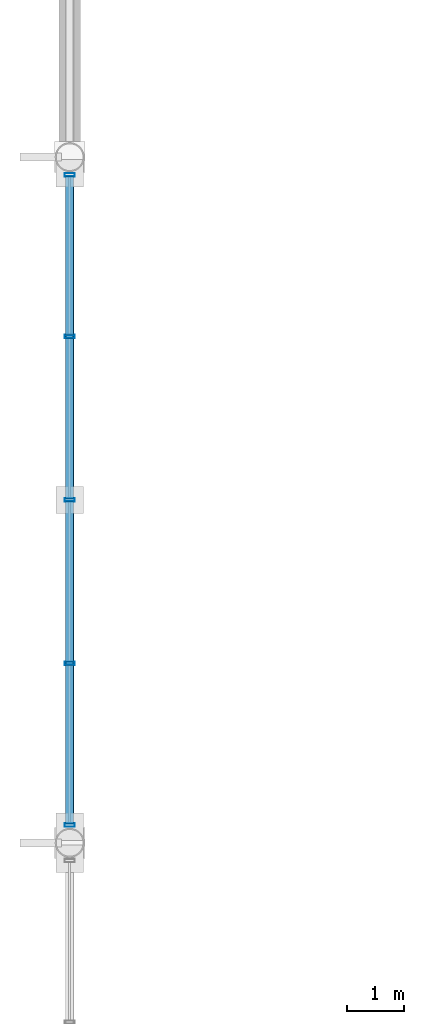
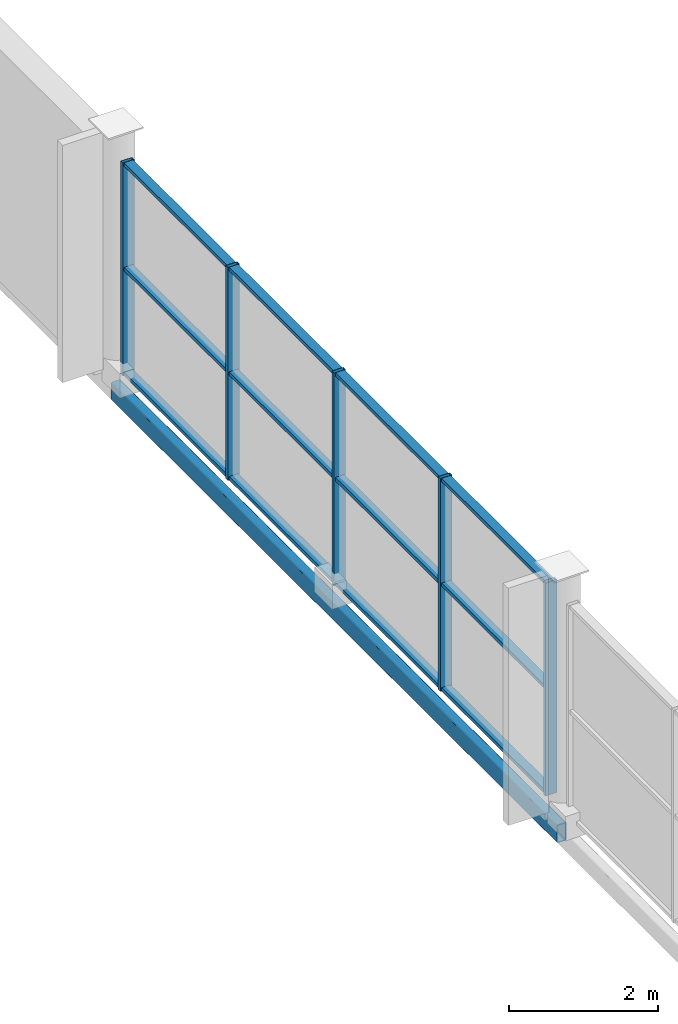
# One storey, part 52 of 117: 17 members, 1 beam, 1 element without a shape of its own.
"""IFC4 building model written with IfcOpenShell, lengths in metres."""

from ifc_helpers import new_model, si_unit, direction, frame, origin, origin_2d, place, context, subcontext, project, spatial, hollow_rectangle, extrude, material, material_profile, profile_set, type_object, element, aggregate, save


model = new_model("IFC4")

# Units and contexts
model_context = context("Model", 3, precision=1e-05, world=origin(), true_north=direction((0.0, 1.0)))
body_context = subcontext(model_context, "Body", "Model", "MODEL_VIEW")
ifc_project = project(units=[si_unit("LENGTHUNIT", "METRE"), si_unit("AREAUNIT", "SQUARE_METRE"), si_unit("VOLUMEUNIT", "CUBIC_METRE"), si_unit("PLANEANGLEUNIT", "RADIAN"), si_unit("MASSUNIT", "GRAM", prefix="KILO")], contexts=[model_context])

# Site, building, storey
site_placement = place(None, origin())
site = spatial("IfcSite", under=ifc_project, at=site_placement, CompositionType="ELEMENT")
building_placement = place(site_placement, origin())
building = spatial("IfcBuilding", under=site, at=building_placement, Name="Merenkruunu Market Hall", CompositionType="ELEMENT")
storey_placement = place(building_placement, frame((0.0, 0.0, 10.199951171875)))
storey = spatial("IfcBuildingStorey", under=building, at=storey_placement, Name="L02", CompositionType="ELEMENT", Elevation=10.199951171875)

# Curtain wall, members
ifc_material_1 = material(Name="Powder-coated aluminium", Category="aluminium")
curtain_wall_type = type_object("IfcCurtainWallType", Name="Glazed Curtain Wall CW13", PredefinedType="USERDEFINED", material=ifc_material_1)
curtain_wall_placement = place(storey_placement, origin())
curtain_wall = element("IfcCurtainWall", 1, at=curtain_wall_placement, inside=storey, type_object=curtain_wall_type, Name="CW-L02-CWM02-015", ObjectType="GLAZED_FACADE", PredefinedType="USERDEFINED")
ifc_material_profile_1 = material_profile(ifc_material_1, hollow_rectangle(XDim=0.06005859375, YDim=0.179931640625, WallThickness=0.00390625, at=origin_2d()), Name="ALU 60x180x4")
ifc_profile_set_1 = profile_set([ifc_material_profile_1], Name="Powder-coated aluminium")
member_type_1 = type_object("IfcMemberType", Name="Curtain Wall Mullion CWM02", PredefinedType="MULLION", material=ifc_profile_set_1)
member_1_placement = place(storey_placement, frame((0.0, 63.909912109375, 0.0), z_axis=(0.0, 0.0, 1.0), x_axis=(0.0, 1.0, 0.0)))
member_1 = element("IfcMember", 2, at=member_1_placement, type_object=member_type_1, Name="CW13 mullion 1", PredefinedType="MULLION", context=body_context, shape_type="SweptSolid", body=[
    extrude(hollow_rectangle(XDim=0.06005859375, YDim=0.179931640625, WallThickness=0.00390625, at=origin_2d()), origin(), (0.0, 0.0, 1.0), 3.5),
])
member_2_placement = place(storey_placement, frame((0.0, 66.739990234375, 0.0), z_axis=(0.0, 0.0, 1.0), x_axis=(0.0, 1.0, 0.0)))
member_2 = element("IfcMember", 3, at=member_2_placement, type_object=member_type_1, Name="CW13 mullion 2", PredefinedType="MULLION", context=body_context, shape_type="SweptSolid", body=[
    extrude(hollow_rectangle(XDim=0.06005859375, YDim=0.179931640625, WallThickness=0.00390625, at=origin_2d()), origin(), (0.0, 0.0, 1.0), 3.5),
])
member_3_placement = place(storey_placement, frame((0.0, 69.60009765625, 0.0), z_axis=(0.0, 0.0, 1.0), x_axis=(0.0, 1.0, 0.0)))
member_3 = element("IfcMember", 4, at=member_3_placement, type_object=member_type_1, Name="CW13 mullion 3", PredefinedType="MULLION", context=body_context, shape_type="SweptSolid", body=[
    extrude(hollow_rectangle(XDim=0.06005859375, YDim=0.179931640625, WallThickness=0.00390625, at=origin_2d()), origin(), (0.0, 0.0, 1.0), 3.5),
])
member_4_placement = place(storey_placement, frame((0.0, 72.4599609375, 0.0), z_axis=(0.0, 0.0, 1.0), x_axis=(0.0, 1.0, 0.0)))
member_4 = element("IfcMember", 5, at=member_4_placement, type_object=member_type_1, Name="CW13 mullion 4", PredefinedType="MULLION", context=body_context, shape_type="SweptSolid", body=[
    extrude(hollow_rectangle(XDim=0.06005859375, YDim=0.179931640625, WallThickness=0.00390625, at=origin_2d()), origin(), (0.0, 0.0, 1.0), 3.5),
])
member_5_placement = place(storey_placement, frame((0.0, 75.2900390625, 0.0), z_axis=(0.0, 0.0, 1.0), x_axis=(0.0, 1.0, 0.0)))
member_5 = element("IfcMember", 6, at=member_5_placement, type_object=member_type_1, Name="CW13 mullion 5", PredefinedType="MULLION", context=body_context, shape_type="SweptSolid", body=[
    extrude(hollow_rectangle(XDim=0.06005859375, YDim=0.179931640625, WallThickness=0.00390625, at=origin_2d()), origin(), (0.0, 0.0, 1.0), 3.5),
])
ifc_material_profile_2 = material_profile(ifc_material_1, hollow_rectangle(XDim=0.06005859375, YDim=0.139892578125, WallThickness=0.00390625, at=origin_2d()), Name="ALU 60x140x4")
ifc_profile_set_2 = profile_set([ifc_material_profile_2], Name="Powder-coated aluminium")
member_type_2 = type_object("IfcMemberType", Name="Curtain Wall Transom CWT02", PredefinedType="USERDEFINED", material=ifc_profile_set_2)
member_6_placement = place(storey_placement, frame((0.0, 63.93994140625, 0.030029296875), z_axis=(0.0, 1.0, 0.0), x_axis=(0.0, 0.0, 1.0)))
member_6 = element("IfcMember", 7, at=member_6_placement, type_object=member_type_2, Name="CW13 transom 1.1", ObjectType="TRANSOM", PredefinedType="USERDEFINED", context=body_context, shape_type="SweptSolid", body=[
    extrude(hollow_rectangle(XDim=0.06005859375, YDim=0.139892578125, WallThickness=0.00390625, at=origin_2d()), origin(), (0.0, 0.0, 1.0), 2.77001953125),
])
member_7_placement = place(storey_placement, frame((0.0, 63.93994140625, 1.75), z_axis=(0.0, 1.0, 0.0), x_axis=(0.0, 0.0, 1.0)))
member_7 = element("IfcMember", 8, at=member_7_placement, type_object=member_type_2, Name="CW13 transom 1.2", ObjectType="TRANSOM", PredefinedType="USERDEFINED", context=body_context, shape_type="SweptSolid", body=[
    extrude(hollow_rectangle(XDim=0.06005859375, YDim=0.139892578125, WallThickness=0.00390625, at=origin_2d()), origin(), (0.0, 0.0, 1.0), 2.77001953125),
])
member_8_placement = place(storey_placement, frame((0.0, 63.93994140625, 3.469970703125), z_axis=(0.0, 1.0, 0.0), x_axis=(0.0, 0.0, 1.0)))
member_8 = element("IfcMember", 9, at=member_8_placement, type_object=member_type_2, Name="CW13 transom 1.3", ObjectType="TRANSOM", PredefinedType="USERDEFINED", context=body_context, shape_type="SweptSolid", body=[
    extrude(hollow_rectangle(XDim=0.06005859375, YDim=0.139892578125, WallThickness=0.00390625, at=origin_2d()), origin(), (0.0, 0.0, 1.0), 2.77001953125),
])
member_9_placement = place(storey_placement, frame((0.0, 66.77001953125, 0.030029296875), z_axis=(0.0, 1.0, 0.0), x_axis=(0.0, 0.0, 1.0)))
member_9 = element("IfcMember", 10, at=member_9_placement, type_object=member_type_2, Name="CW13 transom 2.1", ObjectType="TRANSOM", PredefinedType="USERDEFINED", context=body_context, shape_type="SweptSolid", body=[
    extrude(hollow_rectangle(XDim=0.06005859375, YDim=0.139892578125, WallThickness=0.00390625, at=origin_2d()), origin(), (0.0, 0.0, 1.0), 2.800048828125),
])
member_10_placement = place(storey_placement, frame((0.0, 66.77001953125, 1.75), z_axis=(0.0, 1.0, 0.0), x_axis=(0.0, 0.0, 1.0)))
member_10 = element("IfcMember", 11, at=member_10_placement, type_object=member_type_2, Name="CW13 transom 2.2", ObjectType="TRANSOM", PredefinedType="USERDEFINED", context=body_context, shape_type="SweptSolid", body=[
    extrude(hollow_rectangle(XDim=0.06005859375, YDim=0.139892578125, WallThickness=0.00390625, at=origin_2d()), origin(), (0.0, 0.0, 1.0), 2.800048828125),
])
member_11_placement = place(storey_placement, frame((0.0, 66.77001953125, 3.469970703125), z_axis=(0.0, 1.0, 0.0), x_axis=(0.0, 0.0, 1.0)))
member_11 = element("IfcMember", 12, at=member_11_placement, type_object=member_type_2, Name="CW13 transom 2.3", ObjectType="TRANSOM", PredefinedType="USERDEFINED", context=body_context, shape_type="SweptSolid", body=[
    extrude(hollow_rectangle(XDim=0.06005859375, YDim=0.139892578125, WallThickness=0.00390625, at=origin_2d()), origin(), (0.0, 0.0, 1.0), 2.800048828125),
])
member_12_placement = place(storey_placement, frame((0.0, 69.6298828125, 0.030029296875), z_axis=(0.0, 1.0, 0.0), x_axis=(0.0, 0.0, 1.0)))
member_12 = element("IfcMember", 13, at=member_12_placement, type_object=member_type_2, Name="CW13 transom 3.1", ObjectType="TRANSOM", PredefinedType="USERDEFINED", context=body_context, shape_type="SweptSolid", body=[
    extrude(hollow_rectangle(XDim=0.06005859375, YDim=0.139892578125, WallThickness=0.00390625, at=origin_2d()), origin(), (0.0, 0.0, 1.0), 2.800048828125),
])
member_13_placement = place(storey_placement, frame((0.0, 69.6298828125, 1.75), z_axis=(0.0, 1.0, 0.0), x_axis=(0.0, 0.0, 1.0)))
member_13 = element("IfcMember", 14, at=member_13_placement, type_object=member_type_2, Name="CW13 transom 3.2", ObjectType="TRANSOM", PredefinedType="USERDEFINED", context=body_context, shape_type="SweptSolid", body=[
    extrude(hollow_rectangle(XDim=0.06005859375, YDim=0.139892578125, WallThickness=0.00390625, at=origin_2d()), origin(), (0.0, 0.0, 1.0), 2.800048828125),
])
member_14_placement = place(storey_placement, frame((0.0, 69.6298828125, 3.469970703125), z_axis=(0.0, 1.0, 0.0), x_axis=(0.0, 0.0, 1.0)))
member_14 = element("IfcMember", 15, at=member_14_placement, type_object=member_type_2, Name="CW13 transom 3.3", ObjectType="TRANSOM", PredefinedType="USERDEFINED", context=body_context, shape_type="SweptSolid", body=[
    extrude(hollow_rectangle(XDim=0.06005859375, YDim=0.139892578125, WallThickness=0.00390625, at=origin_2d()), origin(), (0.0, 0.0, 1.0), 2.800048828125),
])
member_15_placement = place(storey_placement, frame((0.0, 72.489990234375, 0.030029296875), z_axis=(0.0, 1.0, 0.0), x_axis=(0.0, 0.0, 1.0)))
member_15 = element("IfcMember", 16, at=member_15_placement, type_object=member_type_2, Name="CW13 transom 4.1", ObjectType="TRANSOM", PredefinedType="USERDEFINED", context=body_context, shape_type="SweptSolid", body=[
    extrude(hollow_rectangle(XDim=0.06005859375, YDim=0.139892578125, WallThickness=0.00390625, at=origin_2d()), origin(), (0.0, 0.0, 1.0), 2.77001953125),
])
member_16_placement = place(storey_placement, frame((0.0, 72.489990234375, 1.75), z_axis=(0.0, 1.0, 0.0), x_axis=(0.0, 0.0, 1.0)))
member_16 = element("IfcMember", 17, at=member_16_placement, type_object=member_type_2, Name="CW13 transom 4.2", ObjectType="TRANSOM", PredefinedType="USERDEFINED", context=body_context, shape_type="SweptSolid", body=[
    extrude(hollow_rectangle(XDim=0.06005859375, YDim=0.139892578125, WallThickness=0.00390625, at=origin_2d()), origin(), (0.0, 0.0, 1.0), 2.77001953125),
])
member_17_placement = place(storey_placement, frame((0.0, 72.489990234375, 3.469970703125), z_axis=(0.0, 1.0, 0.0), x_axis=(0.0, 0.0, 1.0)))
member_17 = element("IfcMember", 18, at=member_17_placement, type_object=member_type_2, Name="CW13 transom 4.3", ObjectType="TRANSOM", PredefinedType="USERDEFINED", context=body_context, shape_type="SweptSolid", body=[
    extrude(hollow_rectangle(XDim=0.06005859375, YDim=0.139892578125, WallThickness=0.00390625, at=origin_2d()), origin(), (0.0, 0.0, 1.0), 2.77001953125),
])
aggregate(curtain_wall, [member_1, member_2, member_3, member_4, member_5, member_6, member_7, member_8, member_9, member_10, member_11, member_12, member_13, member_14, member_15, member_16, member_17])

# Beam
ifc_material_2 = material(Name="Steel S355J2", Category="steel")
ifc_material_profile_3 = material_profile(ifc_material_2, hollow_rectangle(XDim=0.14990234375, YDim=0.300048828125, WallThickness=0.012451171875, InnerFilletRadius=0.012451171875, OuterFilletRadius=0.02490234375, at=origin_2d()), Name="RHS 300x150x12.5")
ifc_profile_set_3 = profile_set([ifc_material_profile_3], Name="Steel S355J2")
beam_type = type_object("IfcBeamType", Name="Perimeter Spandrel Beam SP03", PredefinedType="SPANDREL", material=ifc_profile_set_3)
beam_placement = place(storey_placement, frame((0.0, 63.60009765625, -0.4599609375), z_axis=(0.0, 1.0, 0.0), x_axis=(-1.0, 0.0, 0.0)))
element("IfcBeam", 19, at=beam_placement, inside=storey, type_object=beam_type, Name="BM-L02-SP03-1226", PredefinedType="SPANDREL", context=body_context, shape_type="SweptSolid", body=[
    extrude(hollow_rectangle(XDim=0.14990234375, YDim=0.300048828125, WallThickness=0.012451171875, InnerFilletRadius=0.012451171875, OuterFilletRadius=0.02490234375, at=origin_2d()), origin(), (0.0, 0.0, 1.0), 12.0),
])

save(model, "model.ifc")
